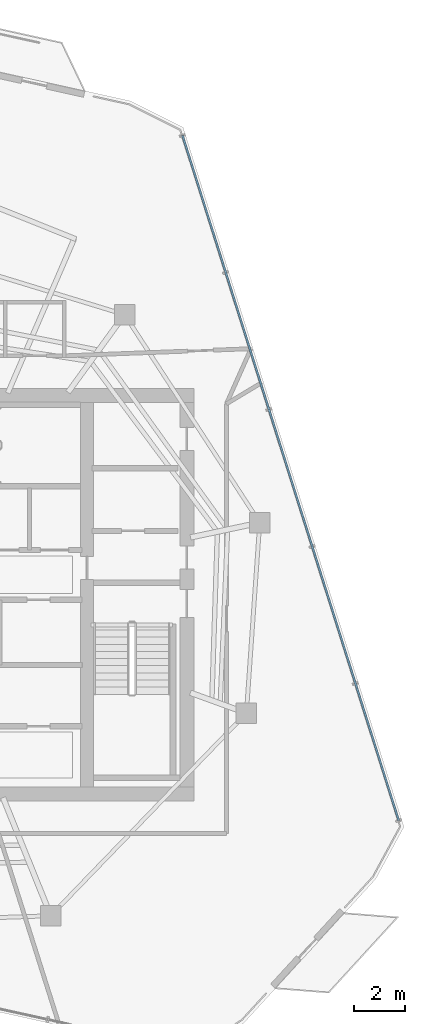
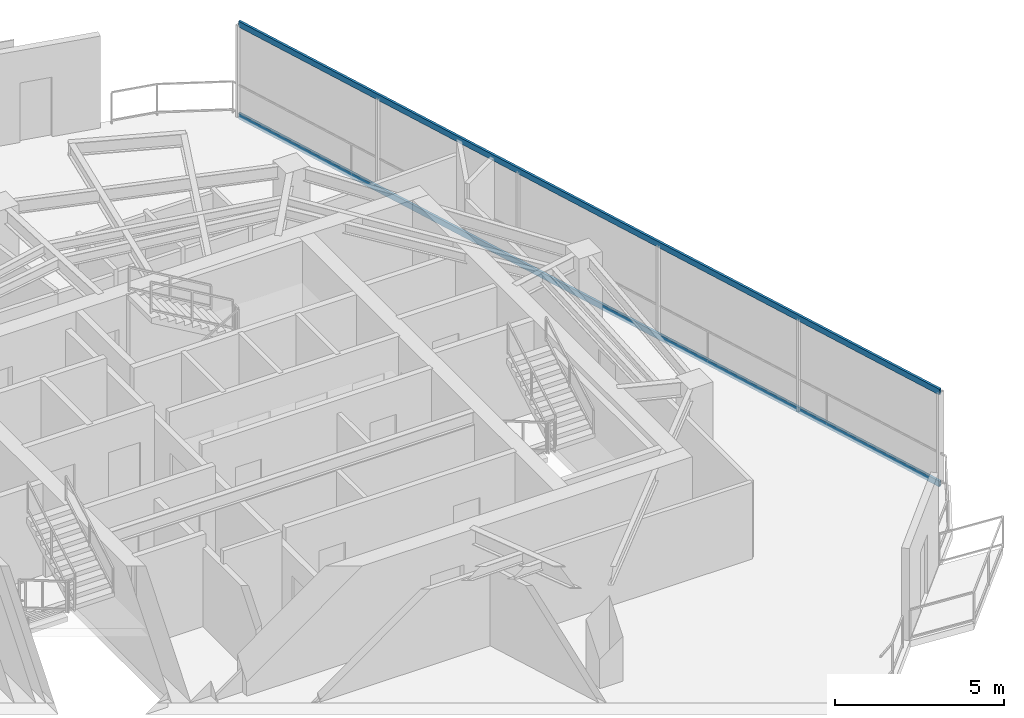
# One storey, part 11 of 18: 2 members, 1 element without a shape of its own.
"""IFC4 building model written with IfcOpenShell, lengths in metres."""

from ifc_helpers import new_model, si_unit, direction, frame, origin, origin_2d, place, context, subcontext, project, spatial, hollow_rectangle, extrude, material, layer, layer_set, material_profile, profile_set, type_object, element, aggregate, save


model = new_model("IFC4")

# Units and contexts
model_context = context("Model", 3, precision=1e-05, world=origin(), true_north=direction((0.0, 1.0)))
body_context = subcontext(model_context, "Body", "Model", "MODEL_VIEW")
ifc_project = project(units=[si_unit("LENGTHUNIT", "METRE"), si_unit("AREAUNIT", "SQUARE_METRE"), si_unit("VOLUMEUNIT", "CUBIC_METRE"), si_unit("PLANEANGLEUNIT", "RADIAN"), si_unit("MASSUNIT", "GRAM", prefix="KILO")], contexts=[model_context])

# Site, building, storey
site_placement = place(None, origin())
site = spatial("IfcSite", under=ifc_project, at=site_placement, CompositionType="ELEMENT")
building_placement = place(site_placement, origin())
building = spatial("IfcBuilding", under=site, at=building_placement, Name="Qarnah Convention Tower", CompositionType="ELEMENT")
storey_placement = place(building_placement, frame((0.0, 0.0, 246.300048828125)))
storey = spatial("IfcBuildingStorey", under=building, at=storey_placement, Name="L66", CompositionType="ELEMENT", Elevation=246.300048828125)

# Curtain wall, members
ifc_material_1 = material(Name="Tempered Low-E dark glass", Category="glass")
ifc_layer = layer(ifc_material_1, 0.176025390625)
ifc_layer_set = layer_set([ifc_layer], Name="Tempered Low-E dark glass")
curtain_wall_type = type_object("IfcCurtainWallType", Name="CWS-05", PredefinedType="NOTDEFINED", material=ifc_layer_set)
curtain_wall_placement = place(storey_placement, origin())
curtain_wall = element("IfcCurtainWall", 1, at=curtain_wall_placement, inside=storey, type_object=curtain_wall_type, Name="L66 unitised curtain wall CW-L66-F2", PredefinedType="NOTDEFINED")
ifc_material_2 = material(Name="Black anodised aluminium", Category="aluminium")
ifc_material_profile = material_profile(ifc_material_2, hollow_rectangle(XDim=0.080078125, YDim=0.2099609375, WallThickness=0.0048828125, at=origin_2d()), Name="TRN-80X210")
ifc_profile_set = profile_set([ifc_material_profile], Name="Black anodised aluminium")
member_type = type_object("IfcMemberType", Name="TRN-T5", PredefinedType="USERDEFINED", material=ifc_profile_set)
member_1_placement = place(storey_placement, frame((47.431884765625, 44.37109375, 0.0), z_axis=(0.301027881032, -0.953615339034, 0.0), x_axis=(0.953615339034, 0.301027881032, 0.0)))
member_1 = element("IfcMember", 2, at=member_1_placement, type_object=member_type, Name="CW-L66-F2 transom 1", ObjectType="TRANSOM", PredefinedType="USERDEFINED", context=body_context, shape_type="SweptSolid", body=[
    extrude(hollow_rectangle(XDim=0.080078125, YDim=0.2099609375, WallThickness=0.0048828125, at=origin_2d()), origin(), (0.0, 0.0, 1.0), 28.114013671875),
])
member_2_placement = place(storey_placement, frame((47.431884765625, 44.37109375, 3.320068359375), z_axis=(0.301027881032, -0.953615339034, 0.0), x_axis=(0.953615339034, 0.301027881032, 0.0)))
member_2 = element("IfcMember", 3, at=member_2_placement, type_object=member_type, Name="CW-L66-F2 transom 2", ObjectType="TRANSOM", PredefinedType="USERDEFINED", context=body_context, shape_type="SweptSolid", body=[
    extrude(hollow_rectangle(XDim=0.080078125, YDim=0.2099609375, WallThickness=0.0048828125, at=origin_2d()), origin(), (0.0, 0.0, 1.0), 28.114013671875),
])
aggregate(curtain_wall, [member_1, member_2])

save(model, "model.ifc")
